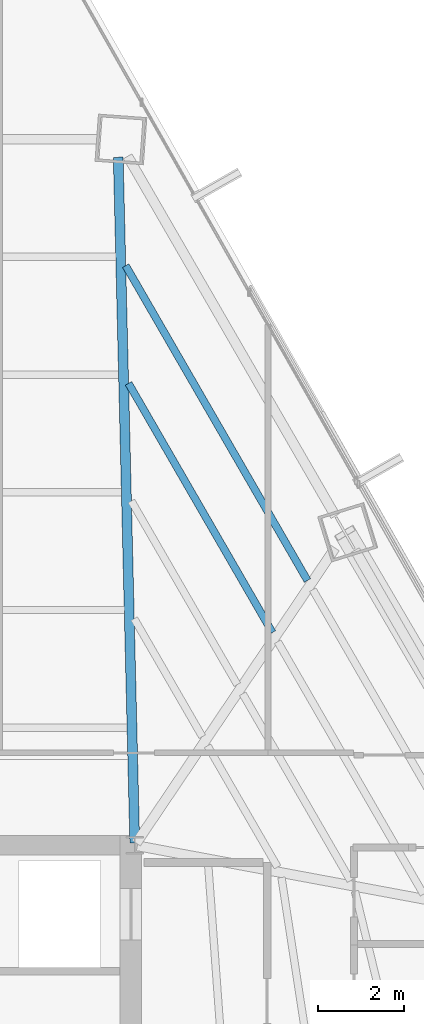
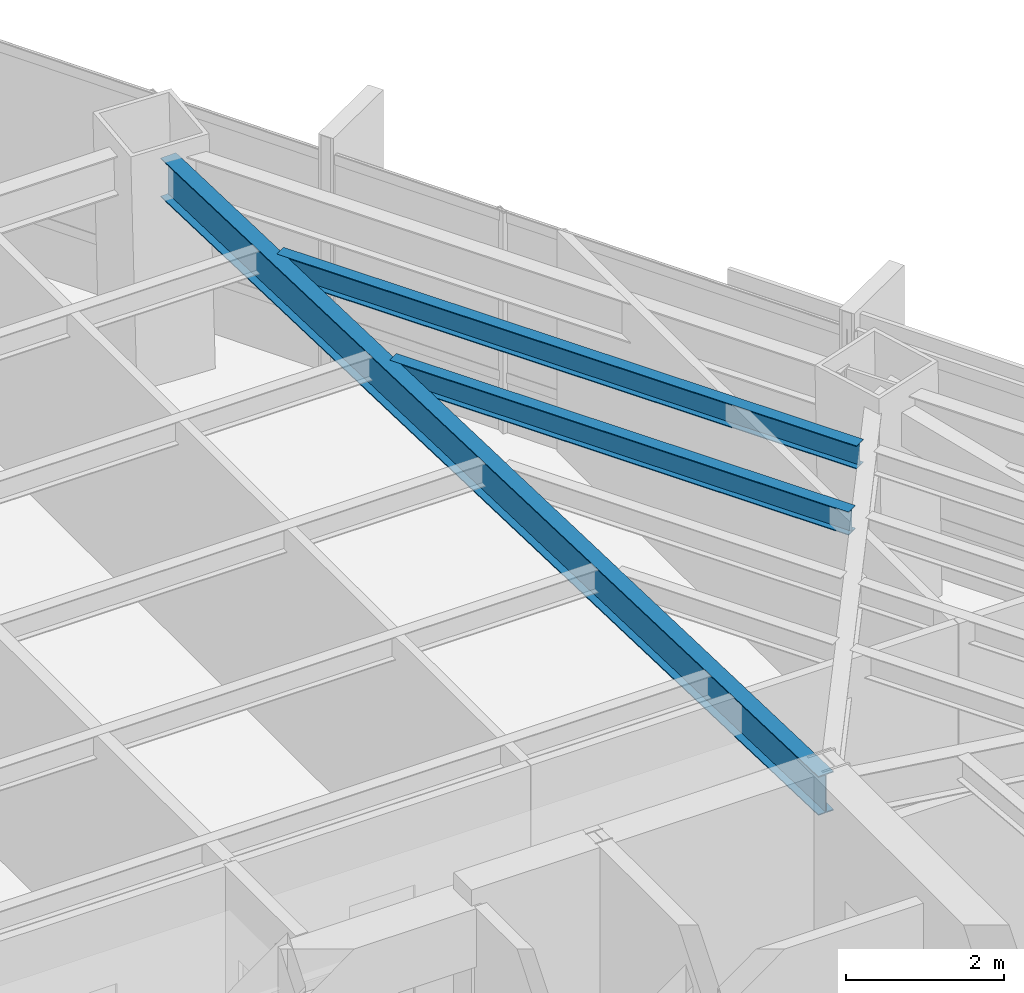
# One storey, part 28 of 37: 3 beams.
"""IFC4 building model written with IfcOpenShell, lengths in metres."""

from ifc_helpers import new_model, si_unit, direction, frame, origin, origin_2d, place, context, subcontext, project, spatial, i_section, extrude, source, transform, mapped, material, material_profile, profile_set, type_object, type_shapes, element, save


model = new_model("IFC4")

# Units and contexts
model_context = context("Model", 3, precision=1e-05, world=origin(), true_north=direction((0.0, 1.0)))
body_context = subcontext(model_context, "Body", "Model", "MODEL_VIEW")
ifc_project = project(units=[si_unit("LENGTHUNIT", "METRE"), si_unit("AREAUNIT", "SQUARE_METRE"), si_unit("VOLUMEUNIT", "CUBIC_METRE"), si_unit("PLANEANGLEUNIT", "RADIAN"), si_unit("MASSUNIT", "GRAM", prefix="KILO")], contexts=[model_context])

# Site, building, storey
site_placement = place(None, origin())
site = spatial("IfcSite", under=ifc_project, at=site_placement, CompositionType="ELEMENT")
building_placement = place(site_placement, origin())
building = spatial("IfcBuilding", under=site, at=building_placement, Name="Caelisora Broadcast Tower", CompositionType="ELEMENT")
storey_placement = place(building_placement, frame((0.0, 0.0, 116.35009765625)))
storey = spatial("IfcBuildingStorey", under=building, at=storey_placement, Name="L30", CompositionType="ELEMENT", Elevation=116.35009765625)

# Beams
ifc_material = material(Name="Steel Grade 350 (AS/NZS 3679.1)", Category="steel")
ifc_material_profile_1 = material_profile(ifc_material, i_section(OverallWidth=0.22802734375, OverallDepth=0.602294921875, WebThickness=0.010498046875, FlangeThickness=0.014892578125, at=origin_2d()), Name="Steel Grade 350 (AS/NZS 3679.1)")
ifc_profile_set_1 = profile_set([ifc_material_profile_1], Name="Steel Grade 350 (AS/NZS 3679.1)")
beam_type_1 = type_object("IfcBeamType", Name="PG04", PredefinedType="BEAM", material=ifc_profile_set_1)
shared_shape_1 = source(origin(), body_context, "Body", "SweptSolid", [
    extrude(i_section(OverallWidth=0.22802734375, OverallDepth=0.602294921875, WebThickness=0.010498046875, FlangeThickness=0.014892578125, at=origin_2d()), origin(), (0.0, 0.0, 1.0), 15.959228515625),
])
type_shapes(beam_type_1, [shared_shape_1])
beam_1_placement = place(storey_placement, frame((45.49853515625, 30.06005859375, 3.098876953125), z_axis=(-0.024063420239, 0.999710433979, 0.0), x_axis=(-0.999710433979, -0.024063420239, 0.0)))
element("IfcBeam", 1, at=beam_1_placement, inside=storey, type_object=beam_type_1, Name="L30 beam PG04", PredefinedType="BEAM", context=body_context, shape_type="MappedRepresentation", body=[
    mapped(shared_shape_1, transform((0.0, 0.0, 0.0), scale=1.0)),
])
ifc_material_profile_2 = material_profile(ifc_material, i_section(OverallWidth=0.172119140625, OverallDepth=0.358642578125, WebThickness=0.008056640625, FlangeThickness=0.012939453125, at=origin_2d()), Name="Steel Grade 350 (AS/NZS 3679.1)")
ifc_profile_set_2 = profile_set([ifc_material_profile_2], Name="Steel Grade 350 (AS/NZS 3679.1)")
beam_type_2 = type_object("IfcBeamType", Name="SB02", PredefinedType="JOIST", material=ifc_profile_set_2)
shared_shape_2 = source(origin(), body_context, "Body", "SweptSolid", [
    extrude(i_section(OverallWidth=0.172119140625, OverallDepth=0.358642578125, WebThickness=0.008056640625, FlangeThickness=0.012939453125, at=origin_2d()), origin(), (0.0, 0.0, 1.0), 6.697509765625),
])
beam_2_placement = place(storey_placement, frame((48.702392578125, 34.95263671875, 3.220703125), z_axis=(-0.499981198768, 0.866036258409, 0.0), x_axis=(-0.866036258409, -0.499981198768, 0.0)))
element("IfcBeam", 2, at=beam_2_placement, inside=storey, type_object=beam_type_2, Name="L30 beam SB02", PredefinedType="JOIST", context=body_context, shape_type="MappedRepresentation", body=[
    mapped(shared_shape_2, transform((0.0, 0.0, 0.0), scale=1.0)),
])
shared_shape_3 = source(origin(), body_context, "Body", "SweptSolid", [
    extrude(i_section(OverallWidth=0.172119140625, OverallDepth=0.358642578125, WebThickness=0.008056640625, FlangeThickness=0.012939453125, at=origin_2d()), origin(), (0.0, 0.0, 1.0), 8.46142578125),
])
type_shapes(beam_type_2, [shared_shape_2, shared_shape_3])
beam_3_placement = place(storey_placement, frame((49.5185546875, 36.1640625, 3.220703125), z_axis=(-0.499996357363, 0.866027506852, 0.0), x_axis=(-0.866027506852, -0.499996357363, 0.0)))
element("IfcBeam", 3, at=beam_3_placement, inside=storey, type_object=beam_type_2, Name="L30 beam SB02", PredefinedType="JOIST", context=body_context, shape_type="MappedRepresentation", body=[
    mapped(shared_shape_3, transform((0.0, 0.0, 0.0), scale=1.0)),
])

save(model, "model.ifc")
